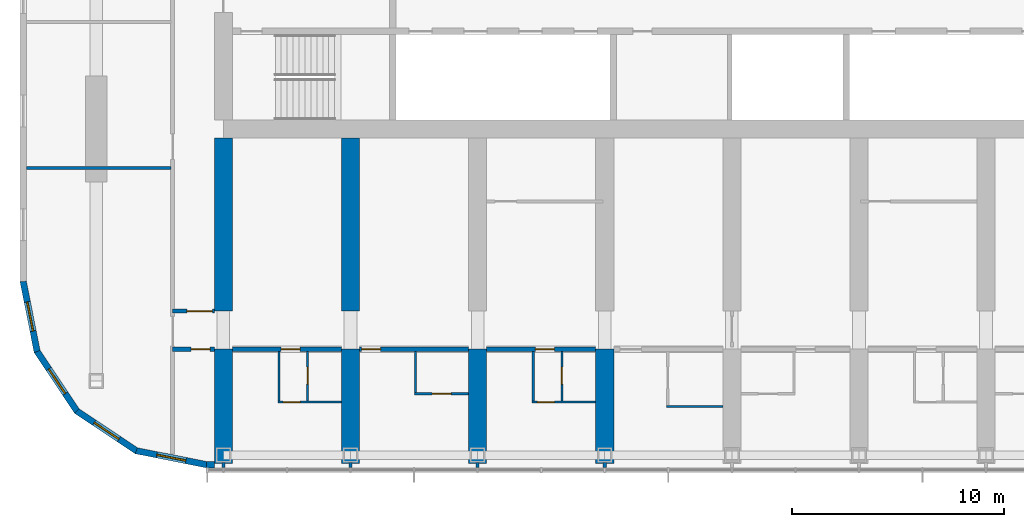
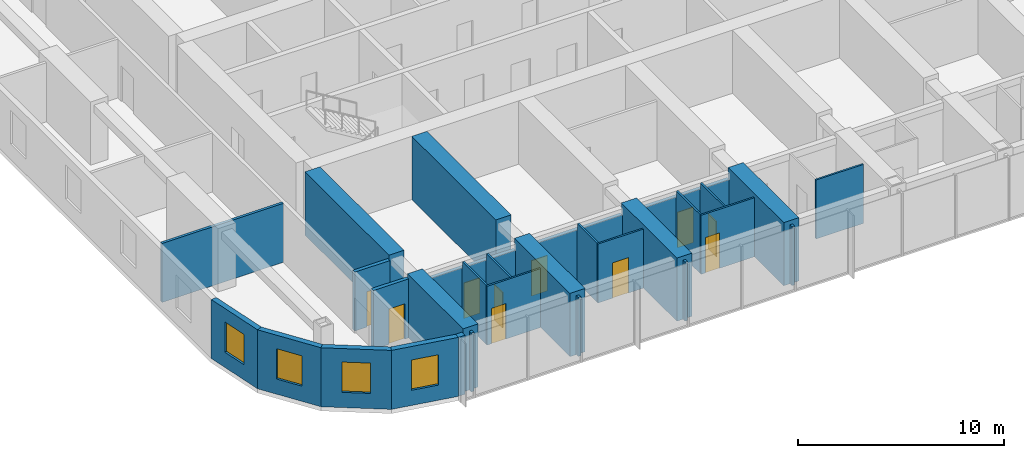
# One storey, part 10 of 22: 30 walls, 10 doors, 4 windows, 14 openings.
"""IFC4 building model written with IfcOpenShell, lengths in metres."""

from ifc_helpers import new_model, si_unit, direction, frame, frame_2d, origin, place, context, subcontext, project, spatial, polyline, rectangle, outline, extrude, material, layer, layer_set, type_object, element, fill, save


model = new_model("IFC4")

# Units and contexts
model_context = context("Model", 3, precision=1e-05, world=origin(), true_north=direction((0.0, 1.0)))
body_context = subcontext(model_context, "Body", "Model", "MODEL_VIEW")
ifc_project = project(units=[si_unit("LENGTHUNIT", "METRE"), si_unit("AREAUNIT", "SQUARE_METRE"), si_unit("VOLUMEUNIT", "CUBIC_METRE"), si_unit("PLANEANGLEUNIT", "RADIAN"), si_unit("MASSUNIT", "GRAM", prefix="KILO")], contexts=[model_context])

# Site, building, storey
site_placement = place(None, origin())
site = spatial("IfcSite", under=ifc_project, at=site_placement, CompositionType="ELEMENT")
building_placement = place(site_placement, origin())
building = spatial("IfcBuilding", under=site, at=building_placement, Name="Orbita Commons", CompositionType="ELEMENT")
storey_placement = place(building_placement, frame((0.0, 0.0, 156.10009765625)))
storey = spatial("IfcBuildingStorey", under=building, at=storey_placement, Name="L38", CompositionType="ELEMENT", Elevation=156.10009765625)

# Wall, opening, door
ifc_material_1 = material(Name="Concrete blockwork", Category="masonry")
ifc_layer_1 = layer(ifc_material_1, 0.199951171875)
ifc_layer_set_1 = layer_set([ifc_layer_1], Name="Concrete blockwork")
wall_type_1 = type_object("IfcWallType", Name="Corridor wall 200 blockwork", PredefinedType="SOLIDWALL", material=ifc_layer_set_1)
wall_1_placement = place(storey_placement, frame((15.60009765625, 15.39990234375, 0.0), z_axis=(0.0, 0.0, 1.0), x_axis=(1.0, 0.0, 0.0)))
wall_1 = element("IfcWall", 1, at=wall_1_placement, inside=storey, type_object=wall_type_1, Name="Corridor wall 200 blockwork L38", PredefinedType="SOLIDWALL", context=body_context, shape_type="SweptSolid", body=[
    extrude(rectangle(XDim=1.974853515625, YDim=0.199951171875, at=frame_2d((0.9873046875, 0.0))), origin(), (0.0, 0.0, 1.0), 3.5),
])
opening_1_placement = place(wall_1_placement, frame((0.875, 0.0, 0.0)))
opening_1 = element("IfcOpeningElement", 2, at=opening_1_placement, cuts=wall_1, Name="Opening D05", PredefinedType="OPENING", context=body_context, shape_type="SweptSolid", body=[
    extrude(rectangle(XDim=0.89990234375, YDim=2.10009765625, at=frame_2d((0.449951171875, 1.050048828125))), frame((0.0, 0.10986328125, 0.0), z_axis=(0.0, -1.0, 0.0), x_axis=(1.0, 0.0, 0.0)), (0.0, 0.0, 1.0), 0.219970703125),
])
ifc_material_2 = material(Name="Steel-faced fire door leaf", Category="steel")
door_type_1 = type_object("IfcDoorType", Name="Service door 20 min 900x2100", OperationType="SINGLE_SWING_LEFT", PredefinedType="DOOR", material=ifc_material_2)
door_1_placement = place(opening_1_placement, origin())
door_1 = element("IfcDoor", 3, at=door_1_placement, inside=storey, type_object=door_type_1, Name="Linen store L38-KWS door", OperationType="SINGLE_SWING_LEFT", OverallHeight=2.10009765625, OverallWidth=0.89990234375, PredefinedType="DOOR", context=body_context, shape_type="SweptSolid", body=[
    extrude(rectangle(XDim=0.89990234375, YDim=2.10009765625, at=frame_2d((0.449951171875, 1.050048828125))), frame((0.0, 0.02490234375, 0.0), z_axis=(0.0, -1.0, 0.0), x_axis=(1.0, 0.0, 0.0)), (0.0, 0.0, 1.0), 0.050048828125),
])
fill(opening_1, door_1)

wall_2_placement = place(storey_placement, frame((18.425048828125, 15.39990234375, 0.0), z_axis=(0.0, 0.0, 1.0), x_axis=(1.0, 0.0, 0.0)))
wall_2 = element("IfcWall", 4, at=wall_2_placement, inside=storey, type_object=wall_type_1, Name="Corridor wall 200 blockwork L38", PredefinedType="SOLIDWALL", context=body_context, shape_type="SweptSolid", body=[
    extrude(outline(polyline([(0.0, 0.0), (5.14990234375, 0.0), (5.14990234375, 3.099853515625), (0.0, 3.099853515625), (0.0, 0.0)])), frame((0.0, 0.10009765625, 0.0), z_axis=(0.0, -1.0, 0.0), x_axis=(1.0, 0.0, 0.0)), (0.0, 0.0, 1.0), 0.199951171875),
])
opening_2_placement = place(wall_2_placement, frame((2.300048828125, 0.0, 0.0)))
opening_2 = element("IfcOpeningElement", 5, at=opening_2_placement, cuts=wall_2, Name="Opening D11", PredefinedType="OPENING", context=body_context, shape_type="SweptSolid", body=[
    extrude(rectangle(XDim=0.89990234375, YDim=2.10009765625, at=frame_2d((0.449951171875, 1.050048828125))), frame((0.0, 0.10986328125, 0.0), z_axis=(0.0, -1.0, 0.0), x_axis=(1.0, 0.0, 0.0)), (0.0, 0.0, 1.0), 0.219970703125),
])
ifc_material_3 = material(Name="Steel-faced fire door leaf", Category="steel")
door_type_2 = type_object("IfcDoorType", Name="Corridor door 20 min 900x2100", OperationType="SINGLE_SWING_LEFT", PredefinedType="DOOR", material=ifc_material_3)
door_2_placement = place(opening_2_placement, origin())
door_2 = element("IfcDoor", 6, at=door_2_placement, inside=storey, type_object=door_type_2, Name="Studio flat L38-S00 entrance door", OperationType="SINGLE_SWING_LEFT", OverallHeight=2.10009765625, OverallWidth=0.89990234375, PredefinedType="DOOR", context=body_context, shape_type="SweptSolid", body=[
    extrude(rectangle(XDim=0.89990234375, YDim=2.10009765625, at=frame_2d((0.449951171875, 1.050048828125))), frame((0.0, 0.02490234375, 0.0), z_axis=(0.0, -1.0, 0.0), x_axis=(1.0, 0.0, 0.0)), (0.0, 0.0, 1.0), 0.050048828125),
])
fill(opening_2, door_2)

wall_3_placement = place(storey_placement, frame((24.425048828125, 15.39990234375, 0.0), z_axis=(0.0, 0.0, 1.0), x_axis=(1.0, 0.0, 0.0)))
wall_3 = element("IfcWall", 7, at=wall_3_placement, inside=storey, type_object=wall_type_1, Name="Corridor wall 200 blockwork L38", PredefinedType="SOLIDWALL", context=body_context, shape_type="SweptSolid", body=[
    extrude(outline(polyline([(0.0, 0.0), (5.14990234375, 0.0), (5.14990234375, 3.099853515625), (0.0, 3.099853515625), (0.0, 0.0)])), frame((0.0, 0.10009765625, 0.0), z_axis=(0.0, -1.0, 0.0), x_axis=(1.0, 0.0, 0.0)), (0.0, 0.0, 1.0), 0.199951171875),
])
opening_3_placement = place(wall_3_placement, frame((0.10009765625, 0.0, 0.0)))
opening_3 = element("IfcOpeningElement", 8, at=opening_3_placement, cuts=wall_3, Name="Opening D11", PredefinedType="OPENING", context=body_context, shape_type="SweptSolid", body=[
    extrude(rectangle(XDim=0.89990234375, YDim=2.10009765625, at=frame_2d((0.449951171875, 1.050048828125))), frame((0.0, 0.10986328125, 0.0), z_axis=(0.0, -1.0, 0.0), x_axis=(1.0, 0.0, 0.0)), (0.0, 0.0, 1.0), 0.219970703125),
])
door_3_placement = place(opening_3_placement, origin())
door_3 = element("IfcDoor", 9, at=door_3_placement, inside=storey, type_object=door_type_2, Name="Twin room L38-S02 door", OperationType="SINGLE_SWING_LEFT", OverallHeight=2.10009765625, OverallWidth=0.89990234375, PredefinedType="DOOR", context=body_context, shape_type="SweptSolid", body=[
    extrude(rectangle(XDim=0.89990234375, YDim=2.10009765625, at=frame_2d((0.449951171875, 1.050048828125))), frame((0.0, 0.02490234375, 0.0), z_axis=(0.0, -1.0, 0.0), x_axis=(1.0, 0.0, 0.0)), (0.0, 0.0, 1.0), 0.050048828125),
])
fill(opening_3, door_3)

wall_4_placement = place(storey_placement, frame((30.425048828125, 15.39990234375, 0.0), z_axis=(0.0, 0.0, 1.0), x_axis=(1.0, 0.0, 0.0)))
wall_4 = element("IfcWall", 10, at=wall_4_placement, inside=storey, type_object=wall_type_1, Name="Corridor wall 200 blockwork L38", PredefinedType="SOLIDWALL", context=body_context, shape_type="SweptSolid", body=[
    extrude(outline(polyline([(0.0, 0.0), (5.14990234375, 0.0), (5.14990234375, 3.099853515625), (0.0, 3.099853515625), (0.0, 0.0)])), frame((0.0, 0.10009765625, 0.0), z_axis=(0.0, -1.0, 0.0), x_axis=(1.0, 0.0, 0.0)), (0.0, 0.0, 1.0), 0.199951171875),
])
opening_4_placement = place(wall_4_placement, frame((2.300048828125, 0.0, 0.0)))
opening_4 = element("IfcOpeningElement", 11, at=opening_4_placement, cuts=wall_4, Name="Opening D11", PredefinedType="OPENING", context=body_context, shape_type="SweptSolid", body=[
    extrude(rectangle(XDim=0.89990234375, YDim=2.10009765625, at=frame_2d((0.449951171875, 1.050048828125))), frame((0.0, 0.10986328125, 0.0), z_axis=(0.0, -1.0, 0.0), x_axis=(1.0, 0.0, 0.0)), (0.0, 0.0, 1.0), 0.219970703125),
])
door_4_placement = place(opening_4_placement, origin())
door_4 = element("IfcDoor", 12, at=door_4_placement, inside=storey, type_object=door_type_2, Name="Studio flat L38-S04 entrance door", OperationType="SINGLE_SWING_LEFT", OverallHeight=2.10009765625, OverallWidth=0.89990234375, PredefinedType="DOOR", context=body_context, shape_type="SweptSolid", body=[
    extrude(rectangle(XDim=0.89990234375, YDim=2.10009765625, at=frame_2d((0.449951171875, 1.050048828125))), frame((0.0, 0.02490234375, 0.0), z_axis=(0.0, -1.0, 0.0), x_axis=(1.0, 0.0, 0.0)), (0.0, 0.0, 1.0), 0.050048828125),
])
fill(opening_4, door_4)

ifc_material_4 = material(Name="Hollow concrete block 200", Category="concrete")
ifc_layer_2 = layer(ifc_material_4, 0.199951171875)
ifc_layer_set_2 = layer_set([ifc_layer_2], Name="Hollow concrete block 200")
wall_type_2 = type_object("IfcWallType", Name="Corridor wall 200 hollow concrete block", PredefinedType="SOLIDWALL", material=ifc_layer_set_2)
wall_5_placement = place(storey_placement, frame((15.60009765625, 17.199951171875, 0.0), z_axis=(0.0, 0.0, 1.0), x_axis=(1.0, 0.0, 0.0)))
wall_5 = element("IfcWall", 13, at=wall_5_placement, inside=storey, type_object=wall_type_2, Name="Corridor wall 200 hollow concrete block L38", PredefinedType="SOLIDWALL", context=body_context, shape_type="SweptSolid", body=[
    extrude(rectangle(XDim=1.974853515625, YDim=0.199951171875, at=frame_2d((0.9873046875, 0.0))), origin(), (0.0, 0.0, 1.0), 3.5),
])
opening_5_placement = place(wall_5_placement, frame((0.675048828125, 0.0, 0.0)))
opening_5 = element("IfcOpeningElement", 14, at=opening_5_placement, cuts=wall_5, Name="Opening D12", PredefinedType="OPENING", context=body_context, shape_type="SweptSolid", body=[
    extrude(rectangle(XDim=1.199951171875, YDim=2.10009765625, at=frame_2d((0.60009765625, 1.050048828125))), frame((0.0, 0.10986328125, 0.0), z_axis=(0.0, -1.0, 0.0), x_axis=(1.0, 0.0, 0.0)), (0.0, 0.0, 1.0), 0.219970703125),
])
ifc_material_5 = material(Name="Steel-faced fire door leaf", Category="steel")
door_type_3 = type_object("IfcDoorType", Name="Double corridor door 20 min 1200x2100", OperationType="DOUBLE_DOOR_SINGLE_SWING", PredefinedType="DOOR", material=ifc_material_5)
door_5_placement = place(opening_5_placement, origin())
door_5 = element("IfcDoor", 15, at=door_5_placement, inside=storey, type_object=door_type_3, Name="Cross corridor doors", OperationType="DOUBLE_DOOR_SINGLE_SWING", OverallHeight=2.10009765625, OverallWidth=1.199951171875, PredefinedType="DOOR", context=body_context, shape_type="SweptSolid", body=[
    extrude(rectangle(XDim=1.199951171875, YDim=2.10009765625, at=frame_2d((0.60009765625, 1.050048828125))), frame((0.0, 0.02490234375, 0.0), z_axis=(0.0, -1.0, 0.0), x_axis=(1.0, 0.0, 0.0)), (0.0, 0.0, 1.0), 0.050048828125),
])
fill(opening_5, door_5)

# Walls
ifc_material_6 = material(Name="Concrete C50/60", Category="concrete")
ifc_layer_3 = layer(ifc_material_6, 0.85009765625)
ifc_layer_set_3 = layer_set([ifc_layer_3], Name="Concrete C50/60")
wall_type_3 = type_object("IfcWallType", Name="Cross wall 850 C50/60", PredefinedType="SHEAR", material=ifc_layer_set_3)
wall_6_placement = place(storey_placement, frame((18.0, 10.0, 0.0), z_axis=(0.0, 0.0, 1.0), x_axis=(0.0, 1.0, 0.0)))
element("IfcWall", 16, at=wall_6_placement, inside=storey, type_object=wall_type_3, Name="Cross wall 4 south outer L38", PredefinedType="SHEAR", context=body_context, shape_type="SweptSolid", body=[
    extrude(rectangle(XDim=5.39990234375, YDim=0.85009765625, at=frame_2d((2.699951171875, 0.0))), origin(), (0.0, 0.0, 1.0), 3.75),
])
wall_7_placement = place(storey_placement, frame((18.0, 17.199951171875, 0.0), z_axis=(0.0, 0.0, 1.0), x_axis=(0.0, 1.0, 0.0)))
element("IfcWall", 17, at=wall_7_placement, inside=storey, type_object=wall_type_3, Name="Cross wall 4 south inner L38", PredefinedType="SHEAR", context=body_context, shape_type="SweptSolid", body=[
    extrude(rectangle(XDim=8.175048828125, YDim=0.85009765625, at=frame_2d((4.08740234375, 0.0))), origin(), (0.0, 0.0, 1.0), 3.75),
])
wall_8_placement = place(storey_placement, frame((24.0, 10.0, 0.0), z_axis=(0.0, 0.0, 1.0), x_axis=(0.0, 1.0, 0.0)))
element("IfcWall", 18, at=wall_8_placement, inside=storey, type_object=wall_type_3, Name="Cross wall 5 south outer L38", PredefinedType="SHEAR", context=body_context, shape_type="SweptSolid", body=[
    extrude(rectangle(XDim=5.39990234375, YDim=0.85009765625, at=frame_2d((2.699951171875, 0.0))), origin(), (0.0, 0.0, 1.0), 3.75),
])
wall_9_placement = place(storey_placement, frame((24.0, 17.199951171875, 0.0), z_axis=(0.0, 0.0, 1.0), x_axis=(0.0, 1.0, 0.0)))
element("IfcWall", 19, at=wall_9_placement, inside=storey, type_object=wall_type_3, Name="Cross wall 5 south inner L38", PredefinedType="SHEAR", context=body_context, shape_type="SweptSolid", body=[
    extrude(rectangle(XDim=8.175048828125, YDim=0.85009765625, at=frame_2d((4.08740234375, 0.0))), origin(), (0.0, 0.0, 1.0), 3.75),
])
for number, where, z_axis, x_axis, name in (
    (20, (30.0, 10.0, 0.0), (0.0, 0.0, 1.0), (0.0, 1.0, 0.0), "Cross wall 6 south outer L38"),
    (21, (36.0, 10.0, 0.0), (0.0, 0.0, 1.0), (0.0, 1.0, 0.0), "Cross wall 7 south outer L38"),
):
    element("IfcWall", number, at=place(storey_placement, frame(where, z_axis=z_axis, x_axis=x_axis)), inside=storey, type_object=wall_type_3, Name=name, PredefinedType="SHEAR", context=body_context, shape_type="SweptSolid", body=[
        extrude(rectangle(XDim=5.39990234375, YDim=0.85009765625, at=frame_2d((2.699951171875, 0.0))), origin(), (0.0, 0.0, 1.0), 3.75),
    ])

# Wall, opening, door
ifc_material_7 = material(Name="Moisture-resistant plasterboard on steel studs", Category="steel")
ifc_layer_4 = layer(ifc_material_7, 0.10009765625)
ifc_layer_set_4 = layer_set([ifc_layer_4], Name="Moisture-resistant plasterboard on steel studs")
wall_type_4 = type_object("IfcWallType", Name="En-suite partition 100", PredefinedType="PARTITIONING", material=ifc_layer_set_4)
wall_10_placement = place(storey_placement, frame((23.574951171875, 12.89990234375, 0.0), z_axis=(0.0, 0.0, 1.0), x_axis=(-1.0, 0.0, 0.0)))
wall_10 = element("IfcWall", 22, at=wall_10_placement, inside=storey, type_object=wall_type_4, Name="En-suite partition 100 L38", PredefinedType="PARTITIONING", context=body_context, shape_type="SweptSolid", body=[
    extrude(rectangle(XDim=3.0, YDim=0.10009765625, at=frame_2d((1.5, 0.0))), origin(), (0.0, 0.0, 1.0), 3.5),
])
opening_6_placement = place(wall_10_placement, frame((1.949951171875, 0.0, 0.0)))
opening_6 = element("IfcOpeningElement", 23, at=opening_6_placement, cuts=wall_10, Name="Opening D16", PredefinedType="OPENING", context=body_context, shape_type="SweptSolid", body=[
    extrude(rectangle(XDim=0.800048828125, YDim=2.10009765625, at=frame_2d((0.39990234375, 1.050048828125))), frame((0.0, 0.06005859375, 0.0), z_axis=(0.0, -1.0, 0.0), x_axis=(1.0, 0.0, 0.0)), (0.0, 0.0, 1.0), 0.1201171875),
])
ifc_material_8 = material(Name="Laminated timber door leaf", Category="wood")
door_type_4 = type_object("IfcDoorType", Name="En-suite door 800x2100", OperationType="SINGLE_SWING_RIGHT", PredefinedType="DOOR", material=ifc_material_8)
door_6_placement = place(opening_6_placement, origin())
door_6 = element("IfcDoor", 24, at=door_6_placement, inside=storey, type_object=door_type_4, Name="Studio flat L38-S00 door", OperationType="SINGLE_SWING_RIGHT", OverallHeight=2.10009765625, OverallWidth=0.800048828125, PredefinedType="DOOR", context=body_context, shape_type="SweptSolid", body=[
    extrude(rectangle(XDim=0.800048828125, YDim=2.10009765625, at=frame_2d((0.39990234375, 1.050048828125))), frame((0.0, 0.02490234375, 0.0), z_axis=(0.0, -1.0, 0.0), x_axis=(1.0, 0.0, 0.0)), (0.0, 0.0, 1.0), 0.050048828125),
])
fill(opening_6, door_6)

# Wall
wall_11_placement = place(storey_placement, frame((20.625, 12.949951171875, 0.0), z_axis=(0.0, 0.0, 1.0), x_axis=(0.0, 1.0, 0.0)))
element("IfcWall", 25, at=wall_11_placement, inside=storey, type_object=wall_type_4, Name="En-suite partition 100 L38", PredefinedType="PARTITIONING", context=body_context, shape_type="SweptSolid", body=[
    extrude(outline(polyline([(0.0, 0.0), (2.35009765625, 0.0), (2.35009765625, 3.099853515625), (2.302001953125, 3.099853515625), (2.300048828125, 3.5), (0.0, 3.5), (0.0, 0.0)])), frame((0.0, 0.050048828125, 0.0), z_axis=(0.0, -1.0, 0.0), x_axis=(1.0, 0.0, 0.0)), (0.0, 0.0, 1.0), 0.10009765625),
])

# Wall, opening, door
wall_12_placement = place(storey_placement, frame((21.97509765625, 12.949951171875, 0.0), z_axis=(0.0, 0.0, 1.0), x_axis=(0.0, 1.0, 0.0)))
wall_12 = element("IfcWall", 26, at=wall_12_placement, inside=storey, type_object=wall_type_4, Name="En-suite partition 100 L38", PredefinedType="PARTITIONING", context=body_context, shape_type="SweptSolid", body=[
    extrude(outline(polyline([(0.0, 0.0), (2.35009765625, 0.0), (2.35009765625, 3.099853515625), (2.302001953125, 3.099853515625), (2.300048828125, 3.5), (0.0, 3.5), (0.0, 0.0)])), frame((0.0, 0.050048828125, 0.0), z_axis=(0.0, -1.0, 0.0), x_axis=(1.0, 0.0, 0.0)), (0.0, 0.0, 1.0), 0.10009765625),
])
opening_7_placement = place(wall_12_placement, frame((0.800048828125, 0.0, 0.0)))
opening_7 = element("IfcOpeningElement", 27, at=opening_7_placement, cuts=wall_12, Name="Opening D16", PredefinedType="OPENING", context=body_context, shape_type="SweptSolid", body=[
    extrude(rectangle(XDim=0.800048828125, YDim=2.10009765625, at=frame_2d((0.39990234375, 1.050048828125))), frame((0.0, 0.06005859375, 0.0), z_axis=(0.0, -1.0, 0.0), x_axis=(1.0, 0.0, 0.0)), (0.0, 0.0, 1.0), 0.1201171875),
])
door_7_placement = place(opening_7_placement, origin())
door_7 = element("IfcDoor", 28, at=door_7_placement, inside=storey, type_object=door_type_4, Name="Studio flat shower room L38-S00 door", OperationType="SINGLE_SWING_RIGHT", OverallHeight=2.10009765625, OverallWidth=0.800048828125, PredefinedType="DOOR", context=body_context, shape_type="SweptSolid", body=[
    extrude(rectangle(XDim=0.800048828125, YDim=2.10009765625, at=frame_2d((0.39990234375, 1.050048828125))), frame((0.0, 0.02490234375, 0.0), z_axis=(0.0, -1.0, 0.0), x_axis=(1.0, 0.0, 0.0)), (0.0, 0.0, 1.0), 0.050048828125),
])
fill(opening_7, door_7)

wall_13_placement = place(storey_placement, frame((29.574951171875, 13.300048828125, 0.0), z_axis=(0.0, 0.0, 1.0), x_axis=(-1.0, 0.0, 0.0)))
wall_13 = element("IfcWall", 29, at=wall_13_placement, inside=storey, type_object=wall_type_4, Name="En-suite partition 100 L38", PredefinedType="PARTITIONING", context=body_context, shape_type="SweptSolid", body=[
    extrude(rectangle(XDim=2.550048828125, YDim=0.10009765625, at=frame_2d((1.27490234375, 0.0))), origin(), (0.0, 0.0, 1.0), 3.5),
])
opening_8_placement = place(wall_13_placement, frame((0.824951171875, 0.0, 0.0)))
opening_8 = element("IfcOpeningElement", 30, at=opening_8_placement, cuts=wall_13, Name="Opening D09", PredefinedType="OPENING", context=body_context, shape_type="SweptSolid", body=[
    extrude(rectangle(XDim=0.89990234375, YDim=2.10009765625, at=frame_2d((0.449951171875, 1.050048828125))), frame((0.0, 0.06005859375, 0.0), z_axis=(0.0, -1.0, 0.0), x_axis=(1.0, 0.0, 0.0)), (0.0, 0.0, 1.0), 0.1201171875),
])
ifc_material_9 = material(Name="Laminated timber door leaf", Category="wood")
door_type_5 = type_object("IfcDoorType", Name="En-suite door 900x2100", OperationType="SINGLE_SWING_RIGHT", PredefinedType="DOOR", material=ifc_material_9)
door_8_placement = place(opening_8_placement, origin())
door_8 = element("IfcDoor", 31, at=door_8_placement, inside=storey, type_object=door_type_5, Name="En-suite L38-S02 door", OperationType="SINGLE_SWING_RIGHT", OverallHeight=2.10009765625, OverallWidth=0.89990234375, PredefinedType="DOOR", context=body_context, shape_type="SweptSolid", body=[
    extrude(rectangle(XDim=0.89990234375, YDim=2.10009765625, at=frame_2d((0.449951171875, 1.050048828125))), frame((0.0, 0.02490234375, 0.0), z_axis=(0.0, -1.0, 0.0), x_axis=(1.0, 0.0, 0.0)), (0.0, 0.0, 1.0), 0.050048828125),
])
fill(opening_8, door_8)

# Wall
wall_14_placement = place(storey_placement, frame((27.074951171875, 13.35009765625, 0.0), z_axis=(0.0, 0.0, 1.0), x_axis=(0.0, 1.0, 0.0)))
element("IfcWall", 32, at=wall_14_placement, inside=storey, type_object=wall_type_4, Name="En-suite partition 100 L38", PredefinedType="PARTITIONING", context=body_context, shape_type="SweptSolid", body=[
    extrude(outline(polyline([(0.0, 0.0), (1.949951171875, 0.0), (1.949951171875, 3.099853515625), (1.902099609375, 3.099853515625), (1.89990234375, 3.5), (0.0, 3.5), (0.0, 0.0)])), frame((0.0, 0.050048828125, 0.0), z_axis=(0.0, -1.0, 0.0), x_axis=(1.0, 0.0, 0.0)), (0.0, 0.0, 1.0), 0.10009765625),
])

# Wall, opening, door
wall_15_placement = place(storey_placement, frame((35.574951171875, 12.89990234375, 0.0), z_axis=(0.0, 0.0, 1.0), x_axis=(-1.0, 0.0, 0.0)))
wall_15 = element("IfcWall", 33, at=wall_15_placement, inside=storey, type_object=wall_type_4, Name="En-suite partition 100 L38", PredefinedType="PARTITIONING", context=body_context, shape_type="SweptSolid", body=[
    extrude(rectangle(XDim=3.0, YDim=0.10009765625, at=frame_2d((1.5, 0.0))), origin(), (0.0, 0.0, 1.0), 3.5),
])
opening_9_placement = place(wall_15_placement, frame((1.949951171875, 0.0, 0.0)))
opening_9 = element("IfcOpeningElement", 34, at=opening_9_placement, cuts=wall_15, Name="Opening D16", PredefinedType="OPENING", context=body_context, shape_type="SweptSolid", body=[
    extrude(rectangle(XDim=0.800048828125, YDim=2.10009765625, at=frame_2d((0.39990234375, 1.050048828125))), frame((0.0, 0.06005859375, 0.0), z_axis=(0.0, -1.0, 0.0), x_axis=(1.0, 0.0, 0.0)), (0.0, 0.0, 1.0), 0.1201171875),
])
door_9_placement = place(opening_9_placement, origin())
door_9 = element("IfcDoor", 35, at=door_9_placement, inside=storey, type_object=door_type_4, Name="Studio flat L38-S04 door", OperationType="SINGLE_SWING_RIGHT", OverallHeight=2.10009765625, OverallWidth=0.800048828125, PredefinedType="DOOR", context=body_context, shape_type="SweptSolid", body=[
    extrude(rectangle(XDim=0.800048828125, YDim=2.10009765625, at=frame_2d((0.39990234375, 1.050048828125))), frame((0.0, 0.02490234375, 0.0), z_axis=(0.0, -1.0, 0.0), x_axis=(1.0, 0.0, 0.0)), (0.0, 0.0, 1.0), 0.050048828125),
])
fill(opening_9, door_9)

# Wall
wall_16_placement = place(storey_placement, frame((32.625, 12.949951171875, 0.0), z_axis=(0.0, 0.0, 1.0), x_axis=(0.0, 1.0, 0.0)))
element("IfcWall", 36, at=wall_16_placement, inside=storey, type_object=wall_type_4, Name="En-suite partition 100 L38", PredefinedType="PARTITIONING", context=body_context, shape_type="SweptSolid", body=[
    extrude(outline(polyline([(0.0, 0.0), (2.35009765625, 0.0), (2.35009765625, 3.099853515625), (2.302001953125, 3.099853515625), (2.300048828125, 3.5), (0.0, 3.5), (0.0, 0.0)])), frame((0.0, 0.050048828125, 0.0), z_axis=(0.0, -1.0, 0.0), x_axis=(1.0, 0.0, 0.0)), (0.0, 0.0, 1.0), 0.10009765625),
])

# Wall, opening, door
wall_17_placement = place(storey_placement, frame((33.97509765625, 12.949951171875, 0.0), z_axis=(0.0, 0.0, 1.0), x_axis=(0.0, 1.0, 0.0)))
wall_17 = element("IfcWall", 37, at=wall_17_placement, inside=storey, type_object=wall_type_4, Name="En-suite partition 100 L38", PredefinedType="PARTITIONING", context=body_context, shape_type="SweptSolid", body=[
    extrude(outline(polyline([(0.0, 0.0), (2.35009765625, 0.0), (2.35009765625, 3.099853515625), (2.302001953125, 3.099853515625), (2.300048828125, 3.5), (0.0, 3.5), (0.0, 0.0)])), frame((0.0, 0.050048828125, 0.0), z_axis=(0.0, -1.0, 0.0), x_axis=(1.0, 0.0, 0.0)), (0.0, 0.0, 1.0), 0.10009765625),
])
opening_10_placement = place(wall_17_placement, frame((0.800048828125, 0.0, 0.0)))
opening_10 = element("IfcOpeningElement", 38, at=opening_10_placement, cuts=wall_17, Name="Opening D16", PredefinedType="OPENING", context=body_context, shape_type="SweptSolid", body=[
    extrude(rectangle(XDim=0.800048828125, YDim=2.10009765625, at=frame_2d((0.39990234375, 1.050048828125))), frame((0.0, 0.06005859375, 0.0), z_axis=(0.0, -1.0, 0.0), x_axis=(1.0, 0.0, 0.0)), (0.0, 0.0, 1.0), 0.1201171875),
])
door_10_placement = place(opening_10_placement, origin())
door_10 = element("IfcDoor", 39, at=door_10_placement, inside=storey, type_object=door_type_4, Name="Studio flat shower room L38-S04 door", OperationType="SINGLE_SWING_RIGHT", OverallHeight=2.10009765625, OverallWidth=0.800048828125, PredefinedType="DOOR", context=body_context, shape_type="SweptSolid", body=[
    extrude(rectangle(XDim=0.800048828125, YDim=2.10009765625, at=frame_2d((0.39990234375, 1.050048828125))), frame((0.0, 0.02490234375, 0.0), z_axis=(0.0, -1.0, 0.0), x_axis=(1.0, 0.0, 0.0)), (0.0, 0.0, 1.0), 0.050048828125),
])
fill(opening_10, door_10)

# Walls
wall_18_placement = place(storey_placement, frame((38.925048828125, 12.699951171875, 0.0), z_axis=(0.0, 0.0, 1.0), x_axis=(1.0, 0.0, 0.0)))
element("IfcWall", 40, at=wall_18_placement, inside=storey, type_object=wall_type_4, Name="En-suite partition 100 L38", PredefinedType="PARTITIONING", context=body_context, shape_type="SweptSolid", body=[
    extrude(rectangle(XDim=2.64990234375, YDim=0.10009765625, at=frame_2d((1.324951171875, 0.0))), origin(), (0.0, 0.0, 1.0), 3.5),
])
ifc_material_10 = material(Name="Gypsum plasterboard on steel studs", Category="steel")
ifc_layer_5 = layer(ifc_material_10, 0.14990234375)
ifc_layer_set_5 = layer_set([ifc_layer_5], Name="Gypsum plasterboard on steel studs")
wall_type_5 = type_object("IfcWallType", Name="Partition 150 plasterboard", PredefinedType="PARTITIONING", material=ifc_layer_set_5)
wall_19_placement = place(storey_placement, frame((8.705078125, 23.9599609375, 0.0), z_axis=(0.0, 0.0, 1.0), x_axis=(1.0, 0.0, 0.0)))
element("IfcWall", 41, at=wall_19_placement, inside=storey, type_object=wall_type_5, Name="Partition 150 plasterboard L38", PredefinedType="PARTITIONING", context=body_context, shape_type="SweptSolid", body=[
    extrude(rectangle(XDim=6.81982421875, YDim=0.14990234375, at=frame_2d((3.409912109375, 0.0))), origin(), (0.0, 0.0, 1.0), 3.5),
])
for number, where, z_axis, x_axis, name in (
    (42, (18.0, 10.050048828125, 0.0), (0.0, 0.0, 1.0), (0.0, -1.0, 0.0), "Partition 150 plasterboard L38"),
    (43, (24.0, 10.050048828125, 0.0), (0.0, 0.0, 1.0), (0.0, -1.0, 0.0), "Partition 150 plasterboard L38"),
    (44, (30.0, 10.050048828125, 0.0), (0.0, 0.0, 1.0), (0.0, -1.0, 0.0), "Partition 150 plasterboard L38"),
    (45, (36.0, 10.050048828125, 0.0), (0.0, 0.0, 1.0), (0.0, -1.0, 0.0), "Partition 150 plasterboard L38"),
):
    element("IfcWall", number, at=place(storey_placement, frame(where, z_axis=z_axis, x_axis=x_axis)), inside=storey, type_object=wall_type_5, Name=name, PredefinedType="PARTITIONING", context=body_context, shape_type="SweptSolid", body=[
        extrude(rectangle(XDim=0.239990234375, YDim=0.14990234375, at=frame_2d((0.1201171875, 0.0))), origin(), (0.0, 0.0, 1.0), 3.5),
    ])

# Wall, opening, window
ifc_material_11 = material(Name="Precast concrete C40/50, white board-marked finish", Category="concrete")
ifc_layer_6 = layer(ifc_material_11, 0.300048828125)
ifc_layer_set_6 = layer_set([ifc_layer_6], Name="Precast concrete C40/50, white board-marked finish")
wall_type_6 = type_object("IfcWallType", Name="Precast concrete end shield 300", PredefinedType="SOLIDWALL", material=ifc_layer_set_6)
wall_20_placement = place(storey_placement, frame((8.550048828125, 18.60009765625, 0.0), z_axis=(0.0, 0.0, 1.0), x_axis=(0.19508664885, -0.980786011034, 0.0)))
wall_20 = element("IfcWall", 46, at=wall_20_placement, inside=storey, type_object=wall_type_6, Name="End shield SW chord 1 L38", PredefinedType="SOLIDWALL", context=body_context, shape_type="SweptSolid", body=[
    extrude(outline(polyline([(-0.014892578125, -0.14990234375), (3.405029296875, -0.14990234375), (3.345458984375, 0.14990234375), (0.014892578125, 0.14990234375), (-0.014892578125, -0.14990234375)])), origin(), (0.0, 0.0, 1.0), 3.5),
])
opening_11_placement = place(wall_20_placement, frame((0.987548828125, 0.0, 0.89990234375)))
opening_11 = element("IfcOpeningElement", 47, at=opening_11_placement, cuts=wall_20, Name="Opening W02", PredefinedType="OPENING", context=body_context, shape_type="SweptSolid", body=[
    extrude(rectangle(XDim=1.39990234375, YDim=1.800048828125, at=frame_2d((0.699951171875, 0.89990234375))), frame((0.0, 0.159912109375, 0.0), z_axis=(0.0, -1.0, 0.0), x_axis=(1.0, 0.0, 0.0)), (0.0, 0.0, 1.0), 0.320068359375),
])
ifc_material_12 = material(Name="Aluminium frame, clear double glazing", Category="aluminium")
window_type = type_object("IfcWindowType", Name="Deep-set window 1400x1800", PartitioningType="SINGLE_PANEL", PredefinedType="WINDOW", material=ifc_material_12)
window_1_placement = place(opening_11_placement, origin())
window_1 = element("IfcWindow", 48, at=window_1_placement, inside=storey, type_object=window_type, Name="Window L38-SW0", OverallHeight=1.800048828125, OverallWidth=1.39990234375, PartitioningType="SINGLE_PANEL", PredefinedType="WINDOW", context=body_context, shape_type="SweptSolid", body=[
    extrude(rectangle(XDim=1.39990234375, YDim=1.800048828125, at=frame_2d((0.699951171875, 0.89990234375))), frame((0.0, 0.030029296875, 0.0), z_axis=(0.0, -1.0, 0.0), x_axis=(1.0, 0.0, 0.0)), (0.0, 0.0, 1.0), 0.06005859375),
])
fill(opening_11, window_1)

wall_21_placement = place(storey_placement, frame((9.20849609375, 15.289794921875, 0.0), z_axis=(0.0, 0.0, 1.0), x_axis=(0.555534554399, -0.831493450887, 0.0)))
wall_21 = element("IfcWall", 49, at=wall_21_placement, inside=storey, type_object=wall_type_6, Name="End shield SW chord 2 L38", PredefinedType="SOLIDWALL", context=body_context, shape_type="SweptSolid", body=[
    extrude(outline(polyline([(-0.02978515625, -0.14990234375), (3.405029296875, -0.14990234375), (3.345458984375, 0.14990234375), (0.02978515625, 0.14990234375), (-0.02978515625, -0.14990234375)])), origin(), (0.0, 0.0, 1.0), 3.5),
])
opening_12_placement = place(wall_21_placement, frame((0.987548828125, 0.0, 0.89990234375)))
opening_12 = element("IfcOpeningElement", 50, at=opening_12_placement, cuts=wall_21, Name="Opening W02", PredefinedType="OPENING", context=body_context, shape_type="SweptSolid", body=[
    extrude(rectangle(XDim=1.39990234375, YDim=1.800048828125, at=frame_2d((0.699951171875, 0.89990234375))), frame((0.0, 0.159912109375, 0.0), z_axis=(0.0, -1.0, 0.0), x_axis=(1.0, 0.0, 0.0)), (0.0, 0.0, 1.0), 0.320068359375),
])
window_2_placement = place(opening_12_placement, origin())
window_2 = element("IfcWindow", 51, at=window_2_placement, inside=storey, type_object=window_type, Name="Window L38-SW1", OverallHeight=1.800048828125, OverallWidth=1.39990234375, PartitioningType="SINGLE_PANEL", PredefinedType="WINDOW", context=body_context, shape_type="SweptSolid", body=[
    extrude(rectangle(XDim=1.39990234375, YDim=1.800048828125, at=frame_2d((0.699951171875, 0.89990234375))), frame((0.0, 0.030029296875, 0.0), z_axis=(0.0, -1.0, 0.0), x_axis=(1.0, 0.0, 0.0)), (0.0, 0.0, 1.0), 0.06005859375),
])
fill(opening_12, window_2)

wall_22_placement = place(storey_placement, frame((11.08349609375, 12.4833984375, 0.0), z_axis=(0.0, 0.0, 1.0), x_axis=(0.831493450887, -0.555534554399, 0.0)))
wall_22 = element("IfcWall", 52, at=wall_22_placement, inside=storey, type_object=wall_type_6, Name="End shield SW chord 3 L38", PredefinedType="SOLIDWALL", context=body_context, shape_type="SweptSolid", body=[
    extrude(outline(polyline([(-0.02978515625, -0.14990234375), (3.405029296875, -0.14990234375), (3.345458984375, 0.14990234375), (0.02978515625, 0.14990234375), (-0.02978515625, -0.14990234375)])), origin(), (0.0, 0.0, 1.0), 3.5),
])
opening_13_placement = place(wall_22_placement, frame((0.987548828125, 0.0, 0.89990234375)))
opening_13 = element("IfcOpeningElement", 53, at=opening_13_placement, cuts=wall_22, Name="Opening W02", PredefinedType="OPENING", context=body_context, shape_type="SweptSolid", body=[
    extrude(rectangle(XDim=1.39990234375, YDim=1.800048828125, at=frame_2d((0.699951171875, 0.89990234375))), frame((0.0, 0.159912109375, 0.0), z_axis=(0.0, -1.0, 0.0), x_axis=(1.0, 0.0, 0.0)), (0.0, 0.0, 1.0), 0.320068359375),
])
window_3_placement = place(opening_13_placement, origin())
window_3 = element("IfcWindow", 54, at=window_3_placement, inside=storey, type_object=window_type, Name="Window L38-SW2", OverallHeight=1.800048828125, OverallWidth=1.39990234375, PartitioningType="SINGLE_PANEL", PredefinedType="WINDOW", context=body_context, shape_type="SweptSolid", body=[
    extrude(rectangle(XDim=1.39990234375, YDim=1.800048828125, at=frame_2d((0.699951171875, 0.89990234375))), frame((0.0, 0.030029296875, 0.0), z_axis=(0.0, -1.0, 0.0), x_axis=(1.0, 0.0, 0.0)), (0.0, 0.0, 1.0), 0.06005859375),
])
fill(opening_13, window_3)

wall_23_placement = place(storey_placement, frame((13.889892578125, 10.6083984375, 0.0), z_axis=(0.0, 0.0, 1.0), x_axis=(0.98078325777, -0.195100490205, 0.0)))
wall_23 = element("IfcWall", 55, at=wall_23_placement, inside=storey, type_object=wall_type_6, Name="End shield SW chord 4 L38", PredefinedType="SOLIDWALL", context=body_context, shape_type="SweptSolid", body=[
    extrude(outline(polyline([(-0.02978515625, -0.14990234375), (3.40478515625, -0.14990234375), (3.34521484375, 0.14990234375), (0.02978515625, 0.14990234375), (-0.02978515625, -0.14990234375)])), origin(), (0.0, 0.0, 1.0), 3.5),
])
opening_14_placement = place(wall_23_placement, frame((0.987548828125, 0.0, 0.89990234375)))
opening_14 = element("IfcOpeningElement", 56, at=opening_14_placement, cuts=wall_23, Name="Opening W02", PredefinedType="OPENING", context=body_context, shape_type="SweptSolid", body=[
    extrude(rectangle(XDim=1.39990234375, YDim=1.800048828125, at=frame_2d((0.699951171875, 0.89990234375))), frame((0.0, 0.159912109375, 0.0), z_axis=(0.0, -1.0, 0.0), x_axis=(1.0, 0.0, 0.0)), (0.0, 0.0, 1.0), 0.320068359375),
])
window_4_placement = place(opening_14_placement, origin())
window_4 = element("IfcWindow", 57, at=window_4_placement, inside=storey, type_object=window_type, Name="Window L38-SW3", OverallHeight=1.800048828125, OverallWidth=1.39990234375, PartitioningType="SINGLE_PANEL", PredefinedType="WINDOW", context=body_context, shape_type="SweptSolid", body=[
    extrude(rectangle(XDim=1.39990234375, YDim=1.800048828125, at=frame_2d((0.699951171875, 0.89990234375))), frame((0.0, 0.030029296875, 0.0), z_axis=(0.0, -1.0, 0.0), x_axis=(1.0, 0.0, 0.0)), (0.0, 0.0, 1.0), 0.06005859375),
])
fill(opening_14, window_4)

# Wall
wall_24_placement = place(storey_placement, frame((17.199951171875, 9.949951171875, 0.0), z_axis=(0.0, 0.0, 1.0), x_axis=(1.0, 0.0, 0.0)))
element("IfcWall", 58, at=wall_24_placement, inside=storey, type_object=wall_type_6, Name="End shield SW closer L38", PredefinedType="SOLIDWALL", context=body_context, shape_type="SweptSolid", body=[
    extrude(rectangle(XDim=0.375, YDim=0.300048828125, at=frame_2d((0.1875, 0.0))), origin(), (0.0, 0.0, 1.0), 3.5),
])

save(model, "model.ifc")
